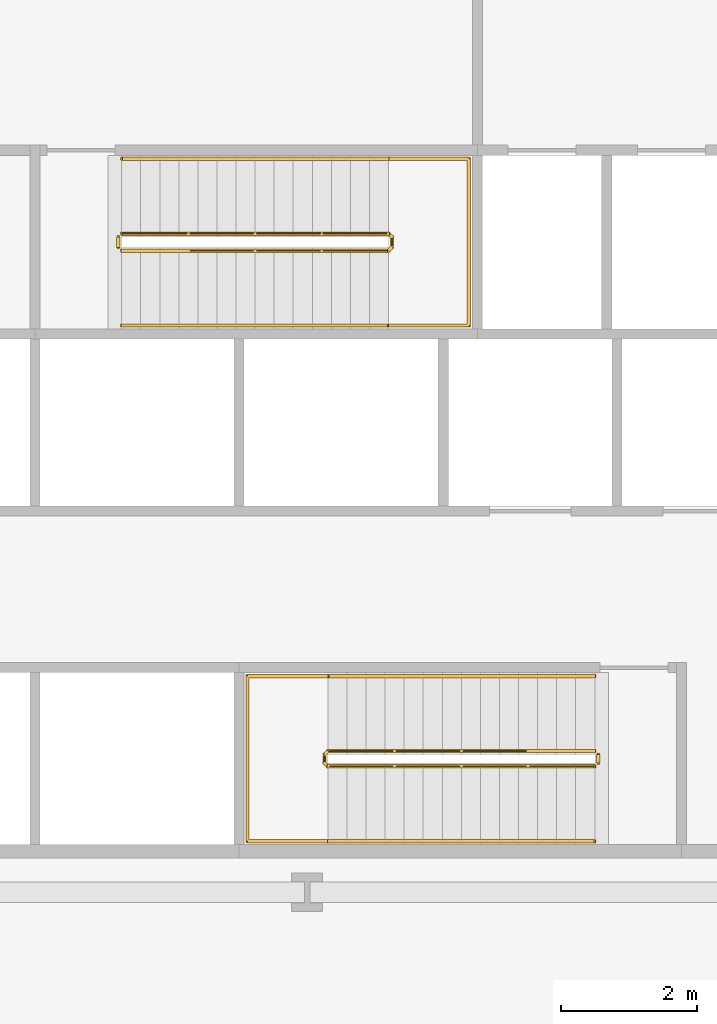
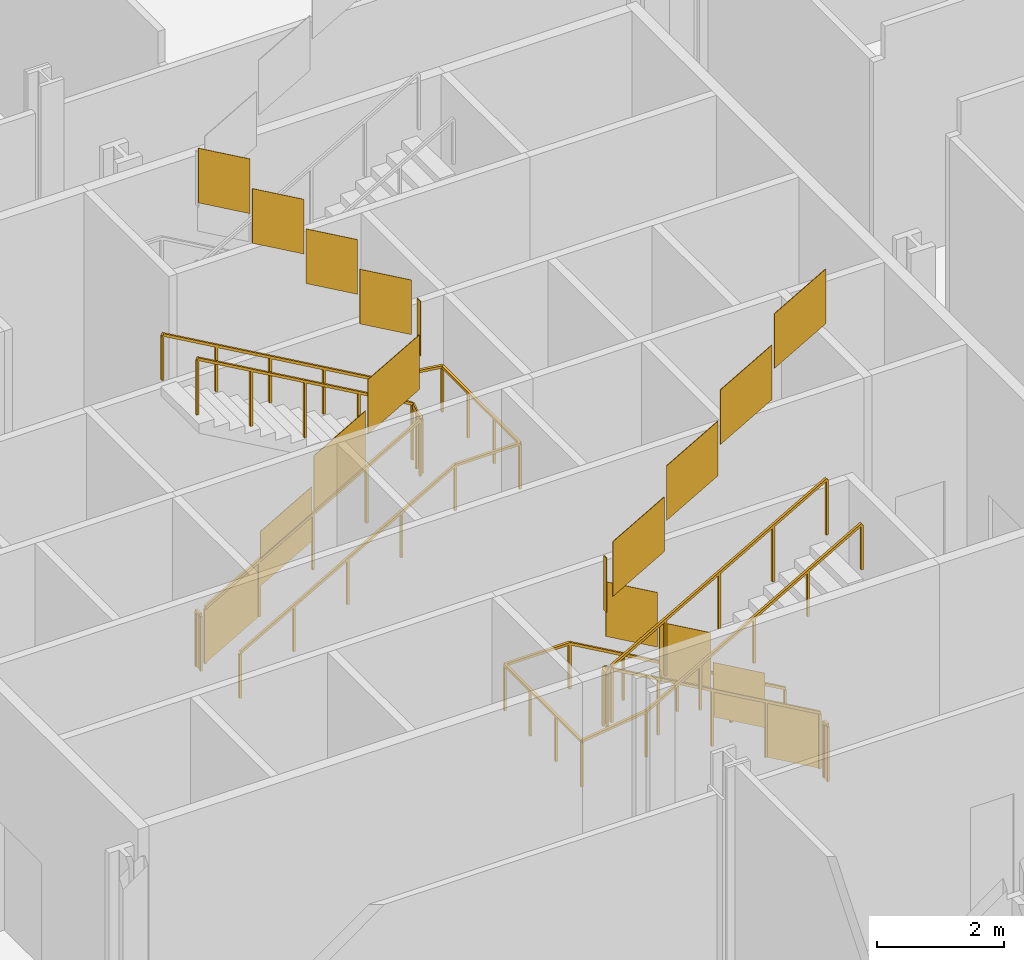
# One storey, part 22 of 26: 6 railings.
"""IFC4 building model written with IfcOpenShell, lengths in metres."""

from ifc_helpers import new_model, si_unit, direction, frame, origin, origin_2d, place, context, subcontext, project, spatial, polyline, rectangle, outline, extrude, material, type_object, element, save


model = new_model("IFC4")

# Units and contexts
model_context = context("Model", 3, precision=1e-05, world=origin(), true_north=direction((0.0, 1.0)))
body_context = subcontext(model_context, "Body", "Model", "MODEL_VIEW")
ifc_project = project(units=[si_unit("LENGTHUNIT", "METRE"), si_unit("AREAUNIT", "SQUARE_METRE"), si_unit("VOLUMEUNIT", "CUBIC_METRE"), si_unit("PLANEANGLEUNIT", "RADIAN"), si_unit("MASSUNIT", "GRAM", prefix="KILO")], contexts=[model_context])

# Site, building, storey
site_placement = place(None, origin())
site = spatial("IfcSite", under=ifc_project, at=site_placement, CompositionType="ELEMENT")
building_placement = place(site_placement, origin())
building = spatial("IfcBuilding", under=site, at=building_placement, Name="Cairn Pilgrim Tower", CompositionType="ELEMENT")
storey_placement = place(building_placement, frame((0.0, 0.0, 21.0)))
storey = spatial("IfcBuildingStorey", under=building, at=storey_placement, Name="L03", CompositionType="ELEMENT", Elevation=21.0)

# Railings
ifc_material = material(Name="Painted steel", Category="steel")
railing_type_1 = type_object("IfcRailingType", Name="STAIR GUARD 1100", PredefinedType="GUARDRAIL", material=ifc_material)
railing_1_placement = place(storey_placement, frame((11.425048828125, -3.925048828125, 0.159912109375)))
element("IfcRailing", 1, at=railing_1_placement, inside=storey, type_object=railing_type_1, Name="L03 ST-A stair guard 1", PredefinedType="GUARDRAIL", context=body_context, shape_type="SweptSolid", body=[
    extrude(rectangle(XDim=0.048095703125, YDim=0.048095703125, at=origin_2d()), frame((0.0, 0.0, 1.076171875), z_axis=(-0.86825312469, 0.0, 0.496121468458), x_axis=(0.0, -1.0, 0.0)), (0.0, 0.0, 1.0), 4.514892578125),
    extrude(rectangle(XDim=0.048095703125, YDim=0.048095703125, at=origin_2d()), frame((-3.920166015625, 0.0, 3.31591796875), z_axis=(-0.705375805398, -0.708833529934, 0.0), x_axis=(0.708833529934, -0.705375805398, 0.0)), (0.0, 0.0, 1.0), 0.070556640625),
    extrude(rectangle(XDim=0.048095703125, YDim=0.048095703125, at=origin_2d()), frame((-3.969970703125, -0.050048828125, 3.31591796875), z_axis=(0.0, -1.0, 0.0), x_axis=(1.0, 0.0, 0.0)), (0.0, 0.0, 1.0), 0.125),
    extrude(rectangle(XDim=0.048095703125, YDim=0.048095703125, at=origin_2d()), frame((-3.969970703125, -0.175048828125, 3.31591796875), z_axis=(0.284663109963, -0.284663109963, 0.915387255566), x_axis=(0.707106781187, 0.707106781187, 0.0)), (0.0, 0.0, 1.0), 0.175048828125),
    extrude(rectangle(XDim=0.048095703125, YDim=0.048095703125, at=origin_2d()), frame((-3.920166015625, -0.224853515625, 3.47607421875), z_axis=(0.86825312469, 0.0, 0.496121468458), x_axis=(0.0, 1.0, 0.0)), (0.0, 0.0, 1.0), 4.514892578125),
    extrude(rectangle(XDim=0.0419921875, YDim=0.0419921875, at=origin_2d()), origin(), (0.0, 0.0, 1.0), 1.052001953125),
    extrude(rectangle(XDim=0.0419921875, YDim=0.0419921875, at=origin_2d()), frame((-0.97998046875, 0.0, 0.56005859375)), (0.0, 0.0, 1.0), 1.052001953125),
    extrude(rectangle(XDim=0.0419921875, YDim=0.0419921875, at=origin_2d()), frame((-1.9599609375, 0.0, 1.1201171875)), (0.0, 0.0, 1.0), 1.052001953125),
    extrude(rectangle(XDim=0.0419921875, YDim=0.0419921875, at=origin_2d()), frame((-2.940185546875, 0.0, 1.679931640625)), (0.0, 0.0, 1.0), 1.052001953125),
    extrude(rectangle(XDim=0.0419921875, YDim=0.0419921875, at=origin_2d()), frame((-3.920166015625, 0.0, 2.239990234375)), (0.0, 0.0, 1.0), 1.052001953125),
    extrude(rectangle(XDim=0.0419921875, YDim=0.0419921875, at=origin_2d()), frame((-3.969970703125, -0.050048828125, 2.239990234375)), (0.0, 0.0, 1.0), 1.052001953125),
    extrude(rectangle(XDim=0.0419921875, YDim=0.0419921875, at=origin_2d()), frame((-3.969970703125, -0.175048828125, 2.239990234375)), (0.0, 0.0, 1.0), 1.052001953125),
    extrude(rectangle(XDim=0.0419921875, YDim=0.0419921875, at=origin_2d()), frame((-3.920166015625, -0.224853515625, 2.400146484375)), (0.0, 0.0, 1.0), 1.052001953125),
    extrude(rectangle(XDim=0.0419921875, YDim=0.0419921875, at=origin_2d()), frame((-2.940185546875, -0.224853515625, 2.960205078125)), (0.0, 0.0, 1.0), 1.052001953125),
    extrude(rectangle(XDim=0.0419921875, YDim=0.0419921875, at=origin_2d()), frame((-1.9599609375, -0.224853515625, 3.52001953125)), (0.0, 0.0, 1.0), 1.052001953125),
    extrude(rectangle(XDim=0.0419921875, YDim=0.0419921875, at=origin_2d()), frame((-0.97998046875, -0.224853515625, 4.080078125)), (0.0, 0.0, 1.0), 1.052001953125),
    extrude(rectangle(XDim=0.0419921875, YDim=0.0419921875, at=origin_2d()), frame((0.0, -0.224853515625, 4.64013671875)), (0.0, 0.0, 1.0), 1.052001953125),
    extrude(outline(polyline([(0.02099609375, 0.011962890625), (0.958984375, 0.548095703125), (0.958984375, 1.60009765625), (0.02099609375, 1.06396484375), (0.02099609375, 0.011962890625)])), frame((0.0, -0.005859375, 0.0), z_axis=(0.0, 1.0, 0.0), x_axis=(-1.0, 0.0, 0.0)), (0.0, 0.0, 1.0), 0.011962890625),
    extrude(outline(polyline([(0.02099609375, 0.572021484375), (0.958984375, 1.10791015625), (0.958984375, 2.159912109375), (0.02099609375, 1.6240234375), (0.02099609375, 0.572021484375)])), frame((-0.97998046875, -0.005859375, 0.56005859375), z_axis=(0.0, 1.0, 0.0), x_axis=(-1.0, 0.0, 0.0)), (0.0, 0.0, 1.0), 0.011962890625),
    extrude(outline(polyline([(0.02099609375, 1.132080078125), (0.958984375, 1.66796875), (0.958984375, 2.719970703125), (0.02099609375, 2.18408203125), (0.02099609375, 1.132080078125)])), frame((-1.9599609375, -0.005859375, 1.1201171875), z_axis=(0.0, 1.0, 0.0), x_axis=(-1.0, 0.0, 0.0)), (0.0, 0.0, 1.0), 0.011962890625),
    extrude(outline(polyline([(0.02099609375, 1.69189453125), (0.958984375, 2.22802734375), (0.958984375, 3.280029296875), (0.02099609375, 2.743896484375), (0.02099609375, 1.69189453125)])), frame((-2.940185546875, -0.005859375, 1.679931640625), z_axis=(0.0, 1.0, 0.0), x_axis=(-1.0, 0.0, 0.0)), (0.0, 0.0, 1.0), 0.011962890625),
    extrude(outline(polyline([(0.02099609375, 2.239990234375), (0.10400390625, 2.239990234375), (0.10400390625, 3.2919921875), (0.02099609375, 3.2919921875), (0.02099609375, 2.239990234375)])), frame((-3.9638671875, -0.050048828125, 2.239990234375), z_axis=(-1.0, 0.0, 0.0), x_axis=(0.0, -1.0, 0.0)), (0.0, 0.0, 1.0), 0.011962890625),
    extrude(outline(polyline([(0.02099609375, 2.412109375), (0.958984375, 2.9482421875), (0.958984375, 4.000244140625), (0.02099609375, 3.464111328125), (0.02099609375, 2.412109375)])), frame((-3.920166015625, -0.21875, 2.400146484375), z_axis=(0.0, -1.0, 0.0), x_axis=(1.0, 0.0, 0.0)), (0.0, 0.0, 1.0), 0.011962890625),
    extrude(outline(polyline([(0.02099609375, 2.97216796875), (0.958984375, 3.508056640625), (0.958984375, 4.56005859375), (0.02099609375, 4.024169921875), (0.02099609375, 2.97216796875)])), frame((-2.940185546875, -0.21875, 2.960205078125), z_axis=(0.0, -1.0, 0.0), x_axis=(1.0, 0.0, 0.0)), (0.0, 0.0, 1.0), 0.011962890625),
    extrude(outline(polyline([(0.02099609375, 3.5322265625), (0.958984375, 4.068115234375), (0.958984375, 5.1201171875), (0.02099609375, 4.584228515625), (0.02099609375, 3.5322265625)])), frame((-1.9599609375, -0.21875, 3.52001953125), z_axis=(0.0, -1.0, 0.0), x_axis=(1.0, 0.0, 0.0)), (0.0, 0.0, 1.0), 0.011962890625),
    extrude(outline(polyline([(0.02099609375, 4.092041015625), (0.958984375, 4.628173828125), (0.958984375, 5.68017578125), (0.02099609375, 5.14404296875), (0.02099609375, 4.092041015625)])), frame((-0.97998046875, -0.21875, 4.080078125), z_axis=(0.0, -1.0, 0.0), x_axis=(1.0, 0.0, 0.0)), (0.0, 0.0, 1.0), 0.011962890625),
])
railing_2_placement = place(storey_placement, frame((11.47509765625, -3.97509765625, 0.0)))
element("IfcRailing", 2, at=railing_2_placement, inside=storey, type_object=railing_type_1, Name="L03 ST-A stair guard 2", PredefinedType="GUARDRAIL", context=body_context, shape_type="SweptSolid", body=[
    extrude(rectangle(XDim=0.048095703125, YDim=0.048095703125, at=origin_2d()), frame((0.0, 0.0, 1.076171875), z_axis=(0.0, -1.0, 0.0), x_axis=(1.0, 0.0, 0.0)), (0.0, 0.0, 1.0), 0.125),
    extrude(rectangle(XDim=0.0419921875, YDim=0.0419921875, at=origin_2d()), origin(), (0.0, 0.0, 1.0), 1.052001953125),
    extrude(rectangle(XDim=0.0419921875, YDim=0.0419921875, at=origin_2d()), frame((0.0, -0.125, 0.0)), (0.0, 0.0, 1.0), 1.052001953125),
    extrude(outline(polyline([(0.02099609375, 0.0), (0.10400390625, 0.0), (0.10400390625, 1.052001953125), (0.02099609375, 1.052001953125), (0.02099609375, 0.0)])), frame((0.005859375, 0.0, 0.0), z_axis=(-1.0, 0.0, 0.0), x_axis=(0.0, -1.0, 0.0)), (0.0, 0.0, 1.0), 0.011962890625),
])
railing_3_placement = place(storey_placement, frame((4.47509765625, 3.425048828125, 0.159912109375)))
element("IfcRailing", 3, at=railing_3_placement, inside=storey, type_object=railing_type_1, Name="L03 ST-B stair guard 1", PredefinedType="GUARDRAIL", context=body_context, shape_type="SweptSolid", body=[
    extrude(rectangle(XDim=0.048095703125, YDim=0.048095703125, at=origin_2d()), frame((0.0, 0.0, 1.076171875), z_axis=(0.868239814368, 0.0, 0.496144761885), x_axis=(0.0, 1.0, 0.0)), (0.0, 0.0, 1.0), 4.514892578125),
    extrude(rectangle(XDim=0.048095703125, YDim=0.048095703125, at=origin_2d()), frame((3.919921875, 0.0, 3.31591796875), z_axis=(0.707106781187, 0.707106781187, 0.0), x_axis=(-0.707106781187, 0.707106781187, 0.0)), (0.0, 0.0, 1.0), 0.07080078125),
    extrude(rectangle(XDim=0.048095703125, YDim=0.048095703125, at=origin_2d()), frame((3.969970703125, 0.050048828125, 3.31591796875), z_axis=(0.0, 1.0, 0.0), x_axis=(-1.0, 0.0, 0.0)), (0.0, 0.0, 1.0), 0.14990234375),
    extrude(rectangle(XDim=0.048095703125, YDim=0.048095703125, at=origin_2d()), frame((3.969970703125, 0.199951171875, 3.31591796875), z_axis=(-0.285830975238, 0.285830975238, 0.91465912076), x_axis=(-0.707106781187, -0.707106781187, 0.0)), (0.0, 0.0, 1.0), 0.175048828125),
    extrude(rectangle(XDim=0.048095703125, YDim=0.048095703125, at=origin_2d()), frame((3.919921875, 0.25, 3.47607421875), z_axis=(-0.868239814368, 0.0, 0.496144761885), x_axis=(0.0, -1.0, 0.0)), (0.0, 0.0, 1.0), 4.514892578125),
    extrude(rectangle(XDim=0.0419921875, YDim=0.0419921875, at=origin_2d()), origin(), (0.0, 0.0, 1.0), 1.052001953125),
    extrude(rectangle(XDim=0.0419921875, YDim=0.0419921875, at=origin_2d()), frame((0.97998046875, 0.0, 0.56005859375)), (0.0, 0.0, 1.0), 1.052001953125),
    extrude(rectangle(XDim=0.0419921875, YDim=0.0419921875, at=origin_2d()), frame((1.9599609375, 0.0, 1.1201171875)), (0.0, 0.0, 1.0), 1.052001953125),
    extrude(rectangle(XDim=0.0419921875, YDim=0.0419921875, at=origin_2d()), frame((2.93994140625, 0.0, 1.679931640625)), (0.0, 0.0, 1.0), 1.052001953125),
    extrude(rectangle(XDim=0.0419921875, YDim=0.0419921875, at=origin_2d()), frame((3.919921875, 0.0, 2.239990234375)), (0.0, 0.0, 1.0), 1.052001953125),
    extrude(rectangle(XDim=0.0419921875, YDim=0.0419921875, at=origin_2d()), frame((3.969970703125, 0.050048828125, 2.239990234375)), (0.0, 0.0, 1.0), 1.052001953125),
    extrude(rectangle(XDim=0.0419921875, YDim=0.0419921875, at=origin_2d()), frame((3.969970703125, 0.199951171875, 2.239990234375)), (0.0, 0.0, 1.0), 1.052001953125),
    extrude(rectangle(XDim=0.0419921875, YDim=0.0419921875, at=origin_2d()), frame((3.919921875, 0.25, 2.400146484375)), (0.0, 0.0, 1.0), 1.052001953125),
    extrude(rectangle(XDim=0.0419921875, YDim=0.0419921875, at=origin_2d()), frame((2.93994140625, 0.25, 2.960205078125)), (0.0, 0.0, 1.0), 1.052001953125),
    extrude(rectangle(XDim=0.0419921875, YDim=0.0419921875, at=origin_2d()), frame((1.9599609375, 0.25, 3.52001953125)), (0.0, 0.0, 1.0), 1.052001953125),
    extrude(rectangle(XDim=0.0419921875, YDim=0.0419921875, at=origin_2d()), frame((0.97998046875, 0.25, 4.080078125)), (0.0, 0.0, 1.0), 1.052001953125),
    extrude(rectangle(XDim=0.0419921875, YDim=0.0419921875, at=origin_2d()), frame((0.0, 0.25, 4.64013671875)), (0.0, 0.0, 1.0), 1.052001953125),
    extrude(outline(polyline([(0.02099609375, 0.011962890625), (0.958984375, 0.548095703125), (0.958984375, 1.60009765625), (0.02099609375, 1.06396484375), (0.02099609375, 0.011962890625)])), frame((0.0, 0.005859375, 0.0), z_axis=(0.0, -1.0, 0.0), x_axis=(1.0, 0.0, 0.0)), (0.0, 0.0, 1.0), 0.011962890625),
    extrude(outline(polyline([(0.02099609375, 0.572021484375), (0.958984375, 1.10791015625), (0.958984375, 2.159912109375), (0.02099609375, 1.6240234375), (0.02099609375, 0.572021484375)])), frame((0.97998046875, 0.005859375, 0.56005859375), z_axis=(0.0, -1.0, 0.0), x_axis=(1.0, 0.0, 0.0)), (0.0, 0.0, 1.0), 0.011962890625),
    extrude(outline(polyline([(0.02099609375, 1.132080078125), (0.958984375, 1.66796875), (0.958984375, 2.719970703125), (0.02099609375, 2.18408203125), (0.02099609375, 1.132080078125)])), frame((1.9599609375, 0.005859375, 1.1201171875), z_axis=(0.0, -1.0, 0.0), x_axis=(1.0, 0.0, 0.0)), (0.0, 0.0, 1.0), 0.011962890625),
    extrude(outline(polyline([(0.02099609375, 1.69189453125), (0.958984375, 2.22802734375), (0.958984375, 3.280029296875), (0.02099609375, 2.743896484375), (0.02099609375, 1.69189453125)])), frame((2.93994140625, 0.005859375, 1.679931640625), z_axis=(0.0, -1.0, 0.0), x_axis=(1.0, 0.0, 0.0)), (0.0, 0.0, 1.0), 0.011962890625),
    extrude(outline(polyline([(0.02099609375, 2.239990234375), (0.12890625, 2.239990234375), (0.12890625, 3.2919921875), (0.02099609375, 3.2919921875), (0.02099609375, 2.239990234375)])), frame((3.9638671875, 0.050048828125, 2.239990234375), z_axis=(1.0, 0.0, 0.0), x_axis=(0.0, 1.0, 0.0)), (0.0, 0.0, 1.0), 0.011962890625),
    extrude(outline(polyline([(0.02099609375, 2.412109375), (0.958984375, 2.9482421875), (0.958984375, 4.000244140625), (0.02099609375, 3.464111328125), (0.02099609375, 2.412109375)])), frame((3.919921875, 0.244140625, 2.400146484375), z_axis=(0.0, 1.0, 0.0), x_axis=(-1.0, 0.0, 0.0)), (0.0, 0.0, 1.0), 0.011962890625),
    extrude(outline(polyline([(0.02099609375, 2.97216796875), (0.958984375, 3.508056640625), (0.958984375, 4.56005859375), (0.02099609375, 4.024169921875), (0.02099609375, 2.97216796875)])), frame((2.93994140625, 0.244140625, 2.960205078125), z_axis=(0.0, 1.0, 0.0), x_axis=(-1.0, 0.0, 0.0)), (0.0, 0.0, 1.0), 0.011962890625),
    extrude(outline(polyline([(0.02099609375, 3.5322265625), (0.958984375, 4.068115234375), (0.958984375, 5.1201171875), (0.02099609375, 4.584228515625), (0.02099609375, 3.5322265625)])), frame((1.9599609375, 0.244140625, 3.52001953125), z_axis=(0.0, 1.0, 0.0), x_axis=(-1.0, 0.0, 0.0)), (0.0, 0.0, 1.0), 0.011962890625),
    extrude(outline(polyline([(0.02099609375, 4.092041015625), (0.958984375, 4.628173828125), (0.958984375, 5.68017578125), (0.02099609375, 5.14404296875), (0.02099609375, 4.092041015625)])), frame((0.97998046875, 0.244140625, 4.080078125), z_axis=(0.0, 1.0, 0.0), x_axis=(-1.0, 0.0, 0.0)), (0.0, 0.0, 1.0), 0.011962890625),
])
railing_4_placement = place(storey_placement, frame((4.425048828125, 3.47509765625, 0.0)))
element("IfcRailing", 4, at=railing_4_placement, inside=storey, type_object=railing_type_1, Name="L03 ST-B stair guard 2", PredefinedType="GUARDRAIL", context=body_context, shape_type="SweptSolid", body=[
    extrude(rectangle(XDim=0.048095703125, YDim=0.048095703125, at=origin_2d()), frame((0.0, 0.0, 1.076171875), z_axis=(0.0, 1.0, 0.0), x_axis=(-1.0, 0.0, 0.0)), (0.0, 0.0, 1.0), 0.14990234375),
    extrude(rectangle(XDim=0.0419921875, YDim=0.0419921875, at=origin_2d()), origin(), (0.0, 0.0, 1.0), 1.052001953125),
    extrude(rectangle(XDim=0.0419921875, YDim=0.0419921875, at=origin_2d()), frame((0.0, 0.14990234375, 0.0)), (0.0, 0.0, 1.0), 1.052001953125),
    extrude(outline(polyline([(0.02099609375, 0.0), (0.12890625, 0.0), (0.12890625, 1.052001953125), (0.02099609375, 1.052001953125), (0.02099609375, 0.0)])), frame((-0.005859375, 0.0, 0.0), z_axis=(1.0, 0.0, 0.0), x_axis=(0.0, 1.0, 0.0)), (0.0, 0.0, 1.0), 0.011962890625),
])
railing_type_2 = type_object("IfcRailingType", Name="STAIR HANDRAIL 900", PredefinedType="HANDRAIL", material=ifc_material)
railing_5_placement = place(storey_placement, frame((11.425048828125, -2.824951171875, 0.159912109375)))
element("IfcRailing", 5, at=railing_5_placement, inside=storey, type_object=railing_type_2, Name="L03 ST-A stair handrail 1", PredefinedType="HANDRAIL", context=body_context, shape_type="SweptSolid", body=[
    extrude(rectangle(XDim=0.048095703125, YDim=0.048095703125, at=origin_2d()), frame((0.0, 0.0, 0.8759765625), z_axis=(-0.86825312469, 0.0, 0.496121468458), x_axis=(0.0, -1.0, 0.0)), (0.0, 0.0, 1.0), 4.514892578125),
    extrude(rectangle(XDim=0.048095703125, YDim=0.048095703125, at=origin_2d()), frame((-3.920166015625, 0.0, 3.11572265625), z_axis=(-1.0, 0.0, 0.0), x_axis=(0.0, -1.0, 0.0)), (0.0, 0.0, 1.0), 1.179931640625),
    extrude(rectangle(XDim=0.048095703125, YDim=0.048095703125, at=origin_2d()), frame((-5.10009765625, 0.0, 3.11572265625), z_axis=(0.0, -1.0, 0.0), x_axis=(1.0, 0.0, 0.0)), (0.0, 0.0, 1.0), 2.425048828125),
    extrude(rectangle(XDim=0.048095703125, YDim=0.048095703125, at=origin_2d()), frame((-5.10009765625, -2.425048828125, 3.11572265625), z_axis=(0.990913571068, 0.0, 0.134500166071), x_axis=(0.0, 1.0, 0.0)), (0.0, 0.0, 1.0), 1.190673828125),
    extrude(rectangle(XDim=0.048095703125, YDim=0.048095703125, at=origin_2d()), frame((-3.920166015625, -2.425048828125, 3.27587890625), z_axis=(0.86825312469, 0.0, 0.496121468458), x_axis=(0.0, 1.0, 0.0)), (0.0, 0.0, 1.0), 4.514892578125),
    extrude(rectangle(XDim=0.0419921875, YDim=0.0419921875, at=origin_2d()), origin(), (0.0, 0.0, 1.0), 0.851806640625),
    extrude(rectangle(XDim=0.0419921875, YDim=0.0419921875, at=origin_2d()), frame((-0.97998046875, 0.0, 0.56005859375)), (0.0, 0.0, 1.0), 0.851806640625),
    extrude(rectangle(XDim=0.0419921875, YDim=0.0419921875, at=origin_2d()), frame((-1.9599609375, 0.0, 1.1201171875)), (0.0, 0.0, 1.0), 0.851806640625),
    extrude(rectangle(XDim=0.0419921875, YDim=0.0419921875, at=origin_2d()), frame((-2.940185546875, 0.0, 1.679931640625)), (0.0, 0.0, 1.0), 0.851806640625),
    extrude(rectangle(XDim=0.0419921875, YDim=0.0419921875, at=origin_2d()), frame((-3.920166015625, 0.0, 2.239990234375)), (0.0, 0.0, 1.0), 0.851806640625),
    extrude(rectangle(XDim=0.0419921875, YDim=0.0419921875, at=origin_2d()), frame((-5.10009765625, 0.0, 2.239990234375)), (0.0, 0.0, 1.0), 0.851806640625),
    extrude(rectangle(XDim=0.0419921875, YDim=0.0419921875, at=origin_2d()), frame((-5.10009765625, -0.808349609375, 2.239990234375)), (0.0, 0.0, 1.0), 0.851806640625),
    extrude(rectangle(XDim=0.0419921875, YDim=0.0419921875, at=origin_2d()), frame((-5.10009765625, -1.61669921875, 2.239990234375)), (0.0, 0.0, 1.0), 0.851806640625),
    extrude(rectangle(XDim=0.0419921875, YDim=0.0419921875, at=origin_2d()), frame((-5.10009765625, -2.425048828125, 2.239990234375)), (0.0, 0.0, 1.0), 0.851806640625),
    extrude(rectangle(XDim=0.0419921875, YDim=0.0419921875, at=origin_2d()), frame((-3.920166015625, -2.425048828125, 2.400146484375)), (0.0, 0.0, 1.0), 0.851806640625),
    extrude(rectangle(XDim=0.0419921875, YDim=0.0419921875, at=origin_2d()), frame((-2.940185546875, -2.425048828125, 2.960205078125)), (0.0, 0.0, 1.0), 0.851806640625),
    extrude(rectangle(XDim=0.0419921875, YDim=0.0419921875, at=origin_2d()), frame((-1.9599609375, -2.425048828125, 3.52001953125)), (0.0, 0.0, 1.0), 0.851806640625),
    extrude(rectangle(XDim=0.0419921875, YDim=0.0419921875, at=origin_2d()), frame((-0.97998046875, -2.425048828125, 4.080078125)), (0.0, 0.0, 1.0), 0.851806640625),
    extrude(rectangle(XDim=0.0419921875, YDim=0.0419921875, at=origin_2d()), frame((0.0, -2.425048828125, 4.64013671875)), (0.0, 0.0, 1.0), 0.851806640625),
])
railing_6_placement = place(storey_placement, frame((4.47509765625, 2.324951171875, 0.159912109375)))
element("IfcRailing", 6, at=railing_6_placement, inside=storey, type_object=railing_type_2, Name="L03 ST-B stair handrail 1", PredefinedType="HANDRAIL", context=body_context, shape_type="SweptSolid", body=[
    extrude(rectangle(XDim=0.048095703125, YDim=0.048095703125, at=origin_2d()), frame((0.0, 0.0, 0.8759765625), z_axis=(0.868239814368, 0.0, 0.496144761885), x_axis=(0.0, 1.0, 0.0)), (0.0, 0.0, 1.0), 4.514892578125),
    extrude(rectangle(XDim=0.048095703125, YDim=0.048095703125, at=origin_2d()), frame((3.919921875, 0.0, 3.11572265625), z_axis=(1.0, 0.0, 0.0), x_axis=(0.0, 1.0, 0.0)), (0.0, 0.0, 1.0), 1.179931640625),
    extrude(rectangle(XDim=0.048095703125, YDim=0.048095703125, at=origin_2d()), frame((5.099853515625, 0.0, 3.11572265625), z_axis=(0.0, 1.0, 0.0), x_axis=(-1.0, 0.0, 0.0)), (0.0, 0.0, 1.0), 2.449951171875),
    extrude(rectangle(XDim=0.048095703125, YDim=0.048095703125, at=origin_2d()), frame((5.099853515625, 2.449951171875, 3.11572265625), z_axis=(-0.990913571068, 0.0, 0.134500166071), x_axis=(0.0, -1.0, 0.0)), (0.0, 0.0, 1.0), 1.190673828125),
    extrude(rectangle(XDim=0.048095703125, YDim=0.048095703125, at=origin_2d()), frame((3.919921875, 2.449951171875, 3.27587890625), z_axis=(-0.868239814368, 0.0, 0.496144761885), x_axis=(0.0, -1.0, 0.0)), (0.0, 0.0, 1.0), 4.514892578125),
    extrude(rectangle(XDim=0.0419921875, YDim=0.0419921875, at=origin_2d()), origin(), (0.0, 0.0, 1.0), 0.851806640625),
    extrude(rectangle(XDim=0.0419921875, YDim=0.0419921875, at=origin_2d()), frame((0.97998046875, 0.0, 0.56005859375)), (0.0, 0.0, 1.0), 0.851806640625),
    extrude(rectangle(XDim=0.0419921875, YDim=0.0419921875, at=origin_2d()), frame((1.9599609375, 0.0, 1.1201171875)), (0.0, 0.0, 1.0), 0.851806640625),
    extrude(rectangle(XDim=0.0419921875, YDim=0.0419921875, at=origin_2d()), frame((2.93994140625, 0.0, 1.679931640625)), (0.0, 0.0, 1.0), 0.851806640625),
    extrude(rectangle(XDim=0.0419921875, YDim=0.0419921875, at=origin_2d()), frame((3.919921875, 0.0, 2.239990234375)), (0.0, 0.0, 1.0), 0.851806640625),
    extrude(rectangle(XDim=0.0419921875, YDim=0.0419921875, at=origin_2d()), frame((5.099853515625, 0.0, 2.239990234375)), (0.0, 0.0, 1.0), 0.851806640625),
    extrude(rectangle(XDim=0.0419921875, YDim=0.0419921875, at=origin_2d()), frame((5.099853515625, 0.816650390625, 2.239990234375)), (0.0, 0.0, 1.0), 0.851806640625),
    extrude(rectangle(XDim=0.0419921875, YDim=0.0419921875, at=origin_2d()), frame((5.099853515625, 1.63330078125, 2.239990234375)), (0.0, 0.0, 1.0), 0.851806640625),
    extrude(rectangle(XDim=0.0419921875, YDim=0.0419921875, at=origin_2d()), frame((5.099853515625, 2.449951171875, 2.239990234375)), (0.0, 0.0, 1.0), 0.851806640625),
    extrude(rectangle(XDim=0.0419921875, YDim=0.0419921875, at=origin_2d()), frame((3.919921875, 2.449951171875, 2.400146484375)), (0.0, 0.0, 1.0), 0.851806640625),
    extrude(rectangle(XDim=0.0419921875, YDim=0.0419921875, at=origin_2d()), frame((2.93994140625, 2.449951171875, 2.960205078125)), (0.0, 0.0, 1.0), 0.851806640625),
    extrude(rectangle(XDim=0.0419921875, YDim=0.0419921875, at=origin_2d()), frame((1.9599609375, 2.449951171875, 3.52001953125)), (0.0, 0.0, 1.0), 0.851806640625),
    extrude(rectangle(XDim=0.0419921875, YDim=0.0419921875, at=origin_2d()), frame((0.97998046875, 2.449951171875, 4.080078125)), (0.0, 0.0, 1.0), 0.851806640625),
    extrude(rectangle(XDim=0.0419921875, YDim=0.0419921875, at=origin_2d()), frame((0.0, 2.449951171875, 4.64013671875)), (0.0, 0.0, 1.0), 0.851806640625),
])

save(model, "model.ifc")
